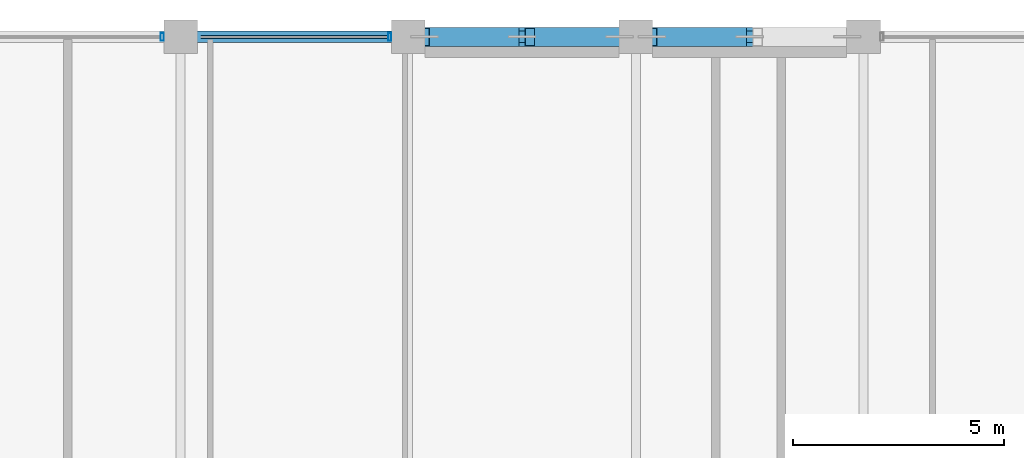
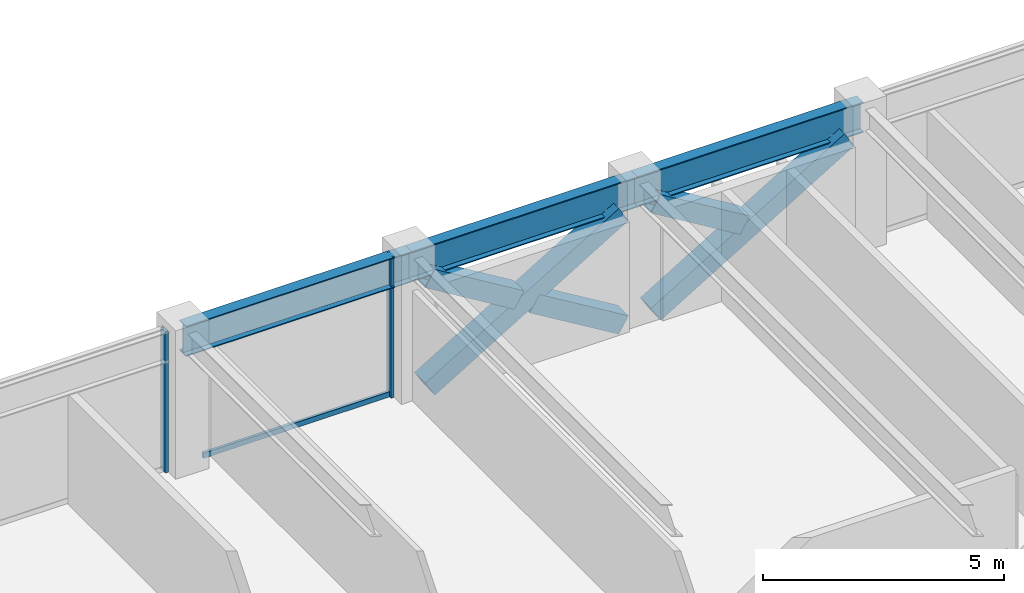
# One storey, part 18 of 30: 8 members, 3 beams, 1 element without a shape of its own.
"""IFC4 building model written with IfcOpenShell, lengths in metres."""

from ifc_helpers import new_model, si_unit, direction, frame, origin, origin_2d, place, context, subcontext, project, spatial, hollow_rectangle, i_section, extrude, material, layer, layer_set, material_profile, profile_set, type_object, element, aggregate, save


model = new_model("IFC4")

# Units and contexts
model_context = context("Model", 3, precision=1e-05, world=origin(), true_north=direction((0.0, 1.0)))
body_context = subcontext(model_context, "Body", "Model", "MODEL_VIEW")
ifc_project = project(units=[si_unit("LENGTHUNIT", "METRE"), si_unit("AREAUNIT", "SQUARE_METRE"), si_unit("VOLUMEUNIT", "CUBIC_METRE"), si_unit("PLANEANGLEUNIT", "RADIAN"), si_unit("MASSUNIT", "GRAM", prefix="KILO")], contexts=[model_context])

# Site, building, storey
site_placement = place(None, origin())
site = spatial("IfcSite", under=ifc_project, at=site_placement, CompositionType="ELEMENT")
building_placement = place(site_placement, origin())
building = spatial("IfcBuilding", under=site, at=building_placement, Name="Surkhivell Harbour Commons", CompositionType="ELEMENT")
storey_placement = place(building_placement, frame((0.0, 0.0, 231.0)))
storey = spatial("IfcBuildingStorey", under=building, at=storey_placement, Name="L60", CompositionType="ELEMENT", Elevation=231.0)

# Beams
ifc_material_1 = material(Name="Steel S355", Category="steel")
ifc_material_profile_1 = material_profile(ifc_material_1, i_section(OverallWidth=0.26806640625, OverallDepth=0.77001953125, WebThickness=0.015625, FlangeThickness=0.025390625, at=origin_2d()), Name="UB762x267x197")
ifc_profile_set_1 = profile_set([ifc_material_profile_1], Name="Steel S355")
beam_type = type_object("IfcBeamType", Name="BM-SPN-762", PredefinedType="SPANDREL", material=ifc_profile_set_1)
beam_placement = place(storey_placement, frame((-10.800048828125, 25.89990234375, 3.18505859375), z_axis=(1.0, 0.0, 0.0), x_axis=(0.0, 1.0, 0.0)))
element("IfcBeam", 1, at=beam_placement, inside=storey, type_object=beam_type, Name="L60 Tube Spandrel (-10.8,25.9)", PredefinedType="SPANDREL", context=body_context, shape_type="SweptSolid", body=[
    extrude(i_section(OverallWidth=0.26806640625, OverallDepth=0.77001953125, WebThickness=0.015625, FlangeThickness=0.025390625, at=origin_2d()), origin(), (0.0, 0.0, 1.0), 5.400146484375),
])
for number, where, z_axis, x_axis, name in (
    (2, (-5.39990234375, 25.89990234375, 3.18505859375), (1.0, 0.0, 0.0), (0.0, 1.0, 0.0), "L60 Tube Spandrel (-5.4,25.9)"),
    (3, (0.0, 25.89990234375, 3.18505859375), (1.0, 0.0, 0.0), (0.0, 1.0, 0.0), "L60 Tube Spandrel (-0.0,25.9)"),
):
    element("IfcBeam", number, at=place(storey_placement, frame(where, z_axis=z_axis, x_axis=x_axis)), inside=storey, type_object=beam_type, Name=name, PredefinedType="SPANDREL", context=body_context, shape_type="SweptSolid", body=[
        extrude(i_section(OverallWidth=0.26806640625, OverallDepth=0.77001953125, WebThickness=0.015625, FlangeThickness=0.025390625, at=origin_2d()), origin(), (0.0, 0.0, 1.0), 5.39990234375),
    ])

# Curtain wall, members
ifc_material_2 = material(Name="Anodised pale-metal aluminium and insulated glazing", Category="aluminium")
ifc_layer = layer(ifc_material_2, 0.18994140625)
ifc_layer_set = layer_set([ifc_layer], Name="Anodised pale-metal aluminium and insulated glazing")
curtain_wall_type = type_object("IfcCurtainWallType", Name="CW-SYS-Z3", PredefinedType="NOTDEFINED", material=ifc_layer_set)
curtain_wall_placement = place(storey_placement, origin())
curtain_wall = element("IfcCurtainWall", 4, at=curtain_wall_placement, inside=storey, type_object=curtain_wall_type, Name="L60 Curtain Wall CW-L60-E07S2", PredefinedType="NOTDEFINED")
ifc_material_3 = material(Name="Anodised pale-metal aluminium alloy 6063-T6", Category="aluminium")
ifc_material_profile_2 = material_profile(ifc_material_3, hollow_rectangle(XDim=0.074951171875, YDim=0.18994140625, WallThickness=0.00390625, at=origin_2d()), Name="ALU-MULL-75x190")
ifc_profile_set_2 = profile_set([ifc_material_profile_2], Name="Anodised pale-metal aluminium alloy 6063-T6")
member_type_1 = type_object("IfcMemberType", Name="CWM-190", PredefinedType="MULLION", material=ifc_profile_set_2)
member_1_placement = place(storey_placement, frame((-5.839599609375, 25.89990234375, 0.0), z_axis=(0.0, 0.0, 1.0), x_axis=(-1.0, 0.0, 0.0)))
member_1 = element("IfcMember", 5, at=member_1_placement, type_object=member_type_1, Name="CW-Z3 mullion 1", PredefinedType="MULLION", context=body_context, shape_type="SweptSolid", body=[
    extrude(hollow_rectangle(XDim=0.074951171875, YDim=0.18994140625, WallThickness=0.00390625, at=origin_2d()), origin(), (0.0, 0.0, 1.0), 3.570068359375),
])
member_2_placement = place(storey_placement, frame((-11.239501953125, 25.89990234375, 0.0), z_axis=(0.0, 0.0, 1.0), x_axis=(-1.0, 0.0, 0.0)))
member_2 = element("IfcMember", 6, at=member_2_placement, type_object=member_type_1, Name="CW-Z3 mullion 2", PredefinedType="MULLION", context=body_context, shape_type="SweptSolid", body=[
    extrude(hollow_rectangle(XDim=0.074951171875, YDim=0.18994140625, WallThickness=0.00390625, at=origin_2d()), origin(), (0.0, 0.0, 1.0), 3.570068359375),
])
ifc_material_4 = material(Name="Champagne anodised aluminium alloy 6063-T6", Category="aluminium")
ifc_material_profile_3 = material_profile(ifc_material_4, hollow_rectangle(XDim=0.070068359375, YDim=0.1298828125, WallThickness=0.00341796875, at=origin_2d()), Name="ALU-TRAN-70x130")
ifc_profile_set_3 = profile_set([ifc_material_profile_3], Name="Champagne anodised aluminium alloy 6063-T6")
member_type_2 = type_object("IfcMemberType", Name="CWT-130", PredefinedType="USERDEFINED", material=ifc_profile_set_3)
member_3_placement = place(storey_placement, frame((-5.876953125, 25.89990234375, 0.06494140625), z_axis=(-1.0, 0.0, 0.0), x_axis=(0.0, -1.0, 0.0)))
member_3 = element("IfcMember", 7, at=member_3_placement, type_object=member_type_2, Name="CW-Z3 transom 1.1", ObjectType="TRANSOM", PredefinedType="USERDEFINED", context=body_context, shape_type="SweptSolid", body=[
    extrude(hollow_rectangle(XDim=0.070068359375, YDim=0.1298828125, WallThickness=0.00341796875, at=origin_2d()), origin(), (0.0, 0.0, 1.0), 4.446044921875),
])
aggregate(curtain_wall, [member_1, member_3, member_2])

# Members
ifc_material_5 = material(Name="Steel S460", Category="steel")
ifc_material_profile_4 = material_profile(ifc_material_5, hollow_rectangle(XDim=0.449951171875, YDim=0.449951171875, WallThickness=0.02197265625, at=origin_2d()), Name="SHS450x450x22")
ifc_profile_set_4 = profile_set([ifc_material_profile_4], Name="Steel S460")
member_type_3 = type_object("IfcMemberType", Name="MEM-BRC-SHS450", PredefinedType="BRACE", material=ifc_profile_set_4)
member_4_placement = place(storey_placement, frame((-5.014892578125, 25.89990234375, 0.008056640625), z_axis=(0.856023742961, 0.0, 0.516936506243), x_axis=(0.0, 1.0, 0.0)))
element("IfcMember", 8, at=member_4_placement, inside=storey, type_object=member_type_3, Name="L60 Perimeter Mega-Brace MB- 01", PredefinedType="BRACE", context=body_context, shape_type="SweptSolid", body=[
    extrude(hollow_rectangle(XDim=0.449951171875, YDim=0.449951171875, WallThickness=0.02197265625, at=origin_2d()), origin(), (0.0, 0.0, 1.0), 5.40869140625),
])
for number, where, z_axis, x_axis, name in (
    (9, (-0.385009765625, 25.89990234375, 0.008056640625), (-0.856061168755, 0.0, 0.516874525731), (0.0, -1.0, 0.0), "L60 Perimeter Mega-Brace MB- 02"),
    (10, (-2.885009765625, 25.89990234375, 1.517578125), (-0.855991532151, 0.0, 0.516989842149), (0.0, -1.0, 0.0), "L60 Perimeter Mega-Brace MB- 03"),
):
    element("IfcMember", number, at=place(storey_placement, frame(where, z_axis=z_axis, x_axis=x_axis)), inside=storey, type_object=member_type_3, Name=name, PredefinedType="BRACE", context=body_context, shape_type="SweptSolid", body=[
        extrude(hollow_rectangle(XDim=0.449951171875, YDim=0.449951171875, WallThickness=0.02197265625, at=origin_2d()), origin(), (0.0, 0.0, 1.0), 2.48828125),
    ])
member_5_placement = place(storey_placement, frame((0.385009765625, 25.89990234375, 0.008056640625), z_axis=(0.856023742961, 0.0, 0.516936506243), x_axis=(0.0, 1.0, 0.0)))
element("IfcMember", 11, at=member_5_placement, inside=storey, type_object=member_type_3, Name="L60 Perimeter Mega-Brace MB- 04", PredefinedType="BRACE", context=body_context, shape_type="SweptSolid", body=[
    extrude(hollow_rectangle(XDim=0.449951171875, YDim=0.449951171875, WallThickness=0.02197265625, at=origin_2d()), origin(), (0.0, 0.0, 1.0), 5.40869140625),
])
member_6_placement = place(storey_placement, frame((2.51513671875, 25.89990234375, 1.517578125), z_axis=(-0.856017753989, 0.0, 0.516946423584), x_axis=(0.0, -1.0, 0.0)))
element("IfcMember", 12, at=member_6_placement, inside=storey, type_object=member_type_3, Name="L60 Perimeter Mega-Brace MB- 06", PredefinedType="BRACE", context=body_context, shape_type="SweptSolid", body=[
    extrude(hollow_rectangle(XDim=0.449951171875, YDim=0.449951171875, WallThickness=0.02197265625, at=origin_2d()), origin(), (0.0, 0.0, 1.0), 2.488525390625),
])

save(model, "model.ifc")
